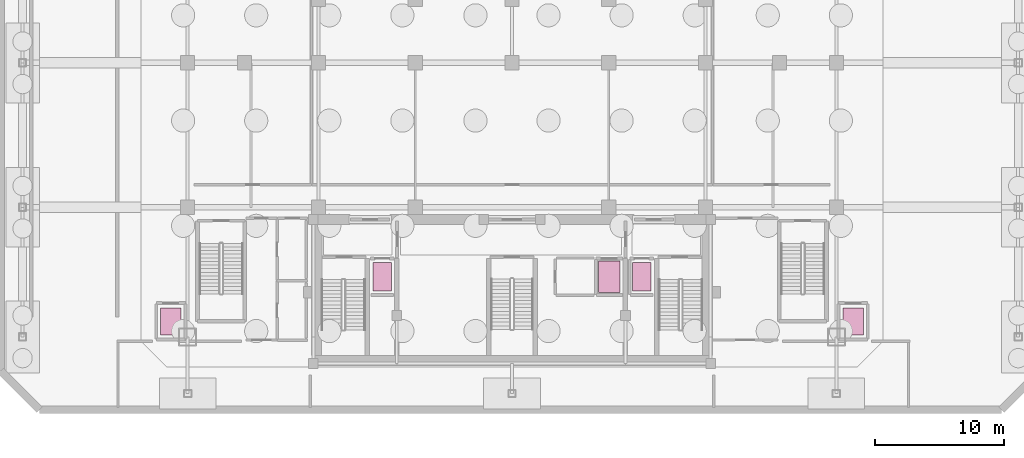
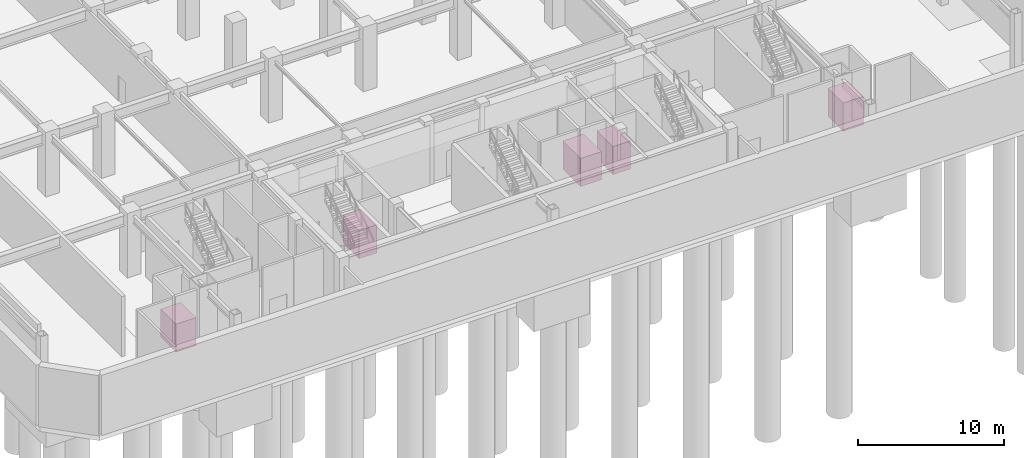
# One storey, part 10 of 10: 5 transport elements.
"""IFC4 building model written with IfcOpenShell, lengths in metres."""

from ifc_helpers import new_model, si_unit, direction, frame, origin, origin_2d, place, context, subcontext, project, spatial, rectangle, extrude, material, type_object, element, save


model = new_model("IFC4")

# Units and contexts
model_context = context("Model", 3, precision=1e-05, world=origin(), true_north=direction((0.0, 1.0)))
body_context = subcontext(model_context, "Body", "Model", "MODEL_VIEW")
ifc_project = project(units=[si_unit("LENGTHUNIT", "METRE"), si_unit("AREAUNIT", "SQUARE_METRE"), si_unit("VOLUMEUNIT", "CUBIC_METRE"), si_unit("PLANEANGLEUNIT", "RADIAN"), si_unit("MASSUNIT", "GRAM", prefix="KILO")], contexts=[model_context])

# Site, building, storey
site_placement = place(None, origin())
site = spatial("IfcSite", under=ifc_project, at=site_placement, CompositionType="ELEMENT")
building_placement = place(site_placement, origin())
building = spatial("IfcBuilding", under=site, at=building_placement, Name="Ventersveld Concourse Tower", CompositionType="ELEMENT")
storey_placement = place(building_placement, frame((0.0, 0.0, -10.800048828125)))
storey = spatial("IfcBuildingStorey", under=building, at=storey_placement, Name="B02", CompositionType="ELEMENT", Elevation=-10.800048828125)

# Transport elements
ifc_material = material(Name="Brushed stainless steel 316", Category="steel")
transport_element_type_1 = type_object("IfcTransportElementType", Name="LIFT-FF-1350", PredefinedType="ELEVATOR", material=ifc_material)
for number, where, z_axis, x_axis, name in (
    (1, (18.68994140625, 7.0, 0.0), (0.0, 0.0, 1.0), (1.0, 0.0, 0.0), "Elevator Car FFL-01"),
    (2, (38.81005859375, 7.0, 0.0), (0.0, 0.0, 1.0), (1.0, 0.0, 0.0), "Elevator Car FFL-02"),
):
    element("IfcTransportElement", number, at=place(storey_placement, frame(where, z_axis=z_axis, x_axis=x_axis)), inside=storey, type_object=transport_element_type_1, Name=name, PredefinedType="ELEVATOR", context=body_context, shape_type="SweptSolid", body=[
        extrude(rectangle(XDim=1.39990234375, YDim=2.199951171875, at=origin_2d()), origin(), (0.0, 0.0, 1.0), 2.35009765625),
    ])
transport_element_type_2 = type_object("IfcTransportElementType", Name="LIFT-SH-1600", PredefinedType="ELEVATOR", material=ifc_material)
for number, where, z_axis, x_axis, name in (
    (3, (2.300048828125, 3.550048828125, 0.0), (0.0, 0.0, 1.0), (1.0, 0.0, 0.0), "Elevator Car SL-01"),
    (4, (55.199951171875, 3.550048828125, 0.0), (0.0, 0.0, 1.0), (1.0, 0.0, 0.0), "Elevator Car SL-02"),
):
    element("IfcTransportElement", number, at=place(storey_placement, frame(where, z_axis=z_axis, x_axis=x_axis)), inside=storey, type_object=transport_element_type_2, Name=name, PredefinedType="ELEVATOR", context=body_context, shape_type="SweptSolid", body=[
        extrude(rectangle(XDim=1.60009765625, YDim=2.10009765625, at=origin_2d()), origin(), (0.0, 0.0, 1.0), 2.35009765625),
    ])
transport_element_type_3 = type_object("IfcTransportElementType", Name="LIFT-SV-2500", PredefinedType="ELEVATOR", material=ifc_material)
transport_element_placement = place(storey_placement, frame((36.300048828125, 7.0, 0.0), z_axis=(0.0, 0.0, 1.0), x_axis=(1.0, 0.0, 0.0)))
element("IfcTransportElement", 5, at=transport_element_placement, inside=storey, type_object=transport_element_type_3, Name="Elevator Car SVL-01", PredefinedType="ELEVATOR", context=body_context, shape_type="SweptSolid", body=[
    extrude(rectangle(XDim=1.64990234375, YDim=2.449951171875, at=origin_2d()), origin(), (0.0, 0.0, 1.0), 2.35009765625),
])

save(model, "model.ifc")
